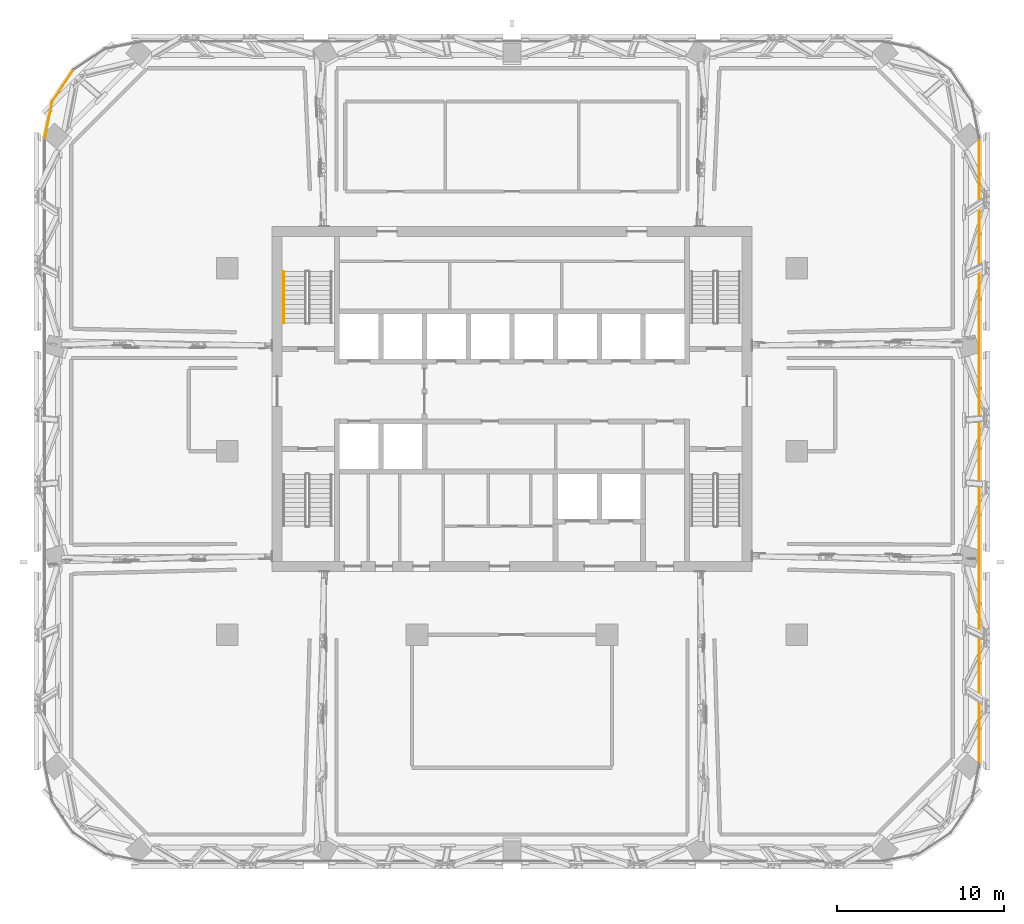
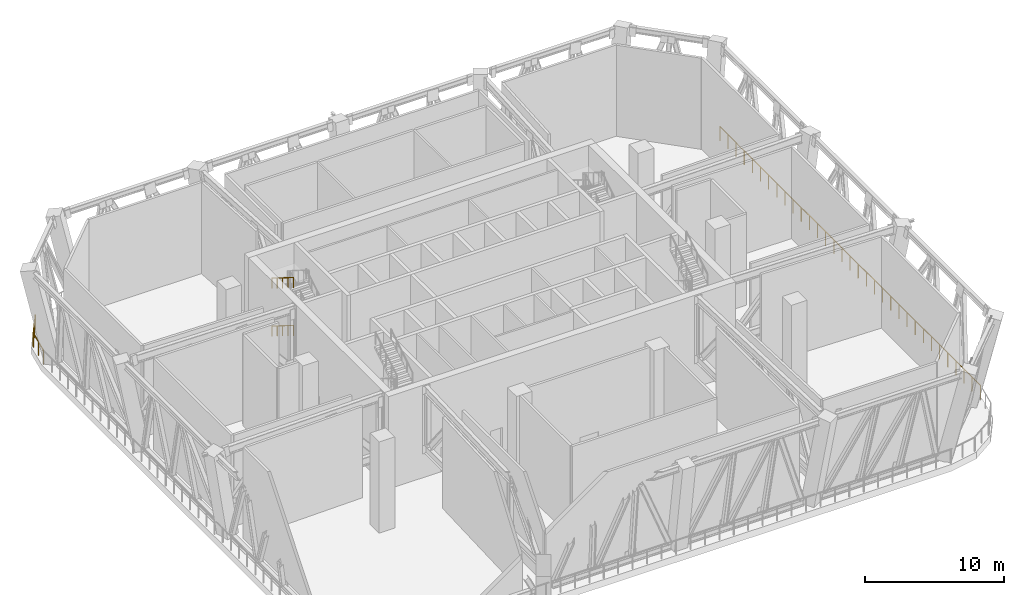
# One storey, part 21 of 24: 5 railings.
"""IFC4 building model written with IfcOpenShell, lengths in metres."""

from ifc_helpers import new_model, si_unit, direction, frame, origin, origin_2d, place, context, subcontext, project, spatial, circle, extrude, material, type_object, element, save


model = new_model("IFC4")

# Units and contexts
model_context = context("Model", 3, precision=1e-05, world=origin(), true_north=direction((0.0, 1.0)))
body_context = subcontext(model_context, "Body", "Model", "MODEL_VIEW")
ifc_project = project(units=[si_unit("LENGTHUNIT", "METRE"), si_unit("AREAUNIT", "SQUARE_METRE"), si_unit("VOLUMEUNIT", "CUBIC_METRE"), si_unit("PLANEANGLEUNIT", "RADIAN"), si_unit("MASSUNIT", "GRAM", prefix="KILO")], contexts=[model_context])

# Site, building, storey
site_placement = place(None, origin())
site = spatial("IfcSite", under=ifc_project, at=site_placement, CompositionType="ELEMENT")
building_placement = place(site_placement, origin())
building = spatial("IfcBuilding", under=site, at=building_placement, Name="Mopane Tessera Tower", CompositionType="ELEMENT")
storey_placement = place(building_placement, frame((0.0, 0.0, 259.0)))
storey = spatial("IfcBuildingStorey", under=building, at=storey_placement, Name="L56", CompositionType="ELEMENT", Elevation=259.0)

# Railings
ifc_material_1 = material(Name="Powder-coated steel balustrade", Category="steel")
railing_type_1 = type_object("IfcRailingType", Name="Escape stair handrail 900 mm", PredefinedType="HANDRAIL", material=ifc_material_1)
railing_1_placement = place(storey_placement, frame((-13.699951171875, 10.780029296875, 2.27490234375)))
element("IfcRailing", 1, at=railing_1_placement, inside=storey, type_object=railing_type_1, Name="L56 ST2 stair handrail 2", PredefinedType="HANDRAIL", context=body_context, shape_type="SweptSolid", body=[
    extrude(circle(Radius=0.02392578125, at=origin_2d()), frame((0.0, 0.0, 0.8759765625), z_axis=(0.0, -0.847998304005, 0.529998940003), x_axis=(1.0, 0.0, 0.0)), (0.0, 0.0, 1.0), 3.632080078125),
    extrude(circle(Radius=0.02099609375, at=origin_2d()), origin(), (0.0, 0.0, 1.0), 0.851806640625),
    extrude(circle(Radius=0.02099609375, at=origin_2d()), frame((0.0, -0.77001953125, 0.481201171875)), (0.0, 0.0, 1.0), 0.851806640625),
    extrude(circle(Radius=0.02099609375, at=origin_2d()), frame((0.0, -1.5400390625, 0.96240234375)), (0.0, 0.0, 1.0), 0.851806640625),
    extrude(circle(Radius=0.02099609375, at=origin_2d()), frame((0.0, -2.31005859375, 1.44384765625)), (0.0, 0.0, 1.0), 0.851806640625),
    extrude(circle(Radius=0.02099609375, at=origin_2d()), frame((0.0, -3.080078125, 1.925048828125)), (0.0, 0.0, 1.0), 0.851806640625),
])
railing_2_placement = place(storey_placement, frame((-13.699951171875, 10.780029296875, 6.47509765625)))
element("IfcRailing", 2, at=railing_2_placement, inside=storey, type_object=railing_type_1, Name="L56 ST2 stair handrail 4", PredefinedType="HANDRAIL", context=body_context, shape_type="SweptSolid", body=[
    extrude(circle(Radius=0.02392578125, at=origin_2d()), frame((0.0, 0.0, 0.8759765625), z_axis=(0.0, -0.848028513186, 0.529950602248), x_axis=(1.0, 0.0, 0.0)), (0.0, 0.0, 1.0), 3.632080078125),
    extrude(circle(Radius=0.02099609375, at=origin_2d()), origin(), (0.0, 0.0, 1.0), 0.851806640625),
    extrude(circle(Radius=0.02099609375, at=origin_2d()), frame((0.0, -0.77001953125, 0.481201171875)), (0.0, 0.0, 1.0), 0.851806640625),
    extrude(circle(Radius=0.02099609375, at=origin_2d()), frame((0.0, -1.5400390625, 0.96240234375)), (0.0, 0.0, 1.0), 0.851806640625),
    extrude(circle(Radius=0.02099609375, at=origin_2d()), frame((0.0, -2.31005859375, 1.443603515625)), (0.0, 0.0, 1.0), 0.851806640625),
    extrude(circle(Radius=0.02099609375, at=origin_2d()), frame((0.0, -3.080078125, 1.9248046875)), (0.0, 0.0, 1.0), 0.851806640625),
])
ifc_material_2 = material(Name="Stainless steel S316", Category="steel")
railing_type_2 = type_object("IfcRailingType", Name="Wind floor guard 1250", PredefinedType="GUARDRAIL", material=ifc_material_2)
railing_3_placement = place(storey_placement, frame((28.050048828125, -18.719970703125, 0.0)))
element("IfcRailing", 3, at=railing_3_placement, inside=storey, type_object=railing_type_2, Name="e:og:L56:5", PredefinedType="GUARDRAIL", context=body_context, shape_type="SweptSolid", body=[
    extrude(circle(Radius=0.02392578125, at=origin_2d()), frame((0.0, 0.0, 1.22607421875), z_axis=(0.0, 1.0, 0.0), x_axis=(-1.0, 0.0, 0.0)), (0.0, 0.0, 1.0), 37.43994140625),
    extrude(circle(Radius=0.02099609375, at=origin_2d()), origin(), (0.0, 0.0, 1.0), 1.201904296875),
    extrude(circle(Radius=0.02099609375, at=origin_2d()), frame((0.0, 1.169921875, 0.0)), (0.0, 0.0, 1.0), 1.201904296875),
    extrude(circle(Radius=0.02099609375, at=origin_2d()), frame((0.0, 2.340087890625, 0.0)), (0.0, 0.0, 1.0), 1.201904296875),
    extrude(circle(Radius=0.02099609375, at=origin_2d()), frame((0.0, 3.510009765625, 0.0)), (0.0, 0.0, 1.0), 1.201904296875),
    extrude(circle(Radius=0.02099609375, at=origin_2d()), frame((0.0, 4.679931640625, 0.0)), (0.0, 0.0, 1.0), 1.201904296875),
    extrude(circle(Radius=0.02099609375, at=origin_2d()), frame((0.0, 5.85009765625, 0.0)), (0.0, 0.0, 1.0), 1.201904296875),
    extrude(circle(Radius=0.02099609375, at=origin_2d()), frame((0.0, 7.02001953125, 0.0)), (0.0, 0.0, 1.0), 1.201904296875),
    extrude(circle(Radius=0.02099609375, at=origin_2d()), frame((0.0, 8.18994140625, 0.0)), (0.0, 0.0, 1.0), 1.201904296875),
    extrude(circle(Radius=0.02099609375, at=origin_2d()), frame((0.0, 9.35986328125, 0.0)), (0.0, 0.0, 1.0), 1.201904296875),
    extrude(circle(Radius=0.02099609375, at=origin_2d()), frame((0.0, 10.530029296875, 0.0)), (0.0, 0.0, 1.0), 1.201904296875),
    extrude(circle(Radius=0.02099609375, at=origin_2d()), frame((0.0, 11.699951171875, 0.0)), (0.0, 0.0, 1.0), 1.201904296875),
    extrude(circle(Radius=0.02099609375, at=origin_2d()), frame((0.0, 12.869873046875, 0.0)), (0.0, 0.0, 1.0), 1.201904296875),
    extrude(circle(Radius=0.02099609375, at=origin_2d()), frame((0.0, 14.0400390625, 0.0)), (0.0, 0.0, 1.0), 1.201904296875),
    extrude(circle(Radius=0.02099609375, at=origin_2d()), frame((0.0, 15.2099609375, 0.0)), (0.0, 0.0, 1.0), 1.201904296875),
    extrude(circle(Radius=0.02099609375, at=origin_2d()), frame((0.0, 16.3798828125, 0.0)), (0.0, 0.0, 1.0), 1.201904296875),
    extrude(circle(Radius=0.02099609375, at=origin_2d()), frame((0.0, 17.550048828125, 0.0)), (0.0, 0.0, 1.0), 1.201904296875),
    extrude(circle(Radius=0.02099609375, at=origin_2d()), frame((0.0, 18.719970703125, 0.0)), (0.0, 0.0, 1.0), 1.201904296875),
    extrude(circle(Radius=0.02099609375, at=origin_2d()), frame((0.0, 19.889892578125, 0.0)), (0.0, 0.0, 1.0), 1.201904296875),
    extrude(circle(Radius=0.02099609375, at=origin_2d()), frame((0.0, 21.06005859375, 0.0)), (0.0, 0.0, 1.0), 1.201904296875),
    extrude(circle(Radius=0.02099609375, at=origin_2d()), frame((0.0, 22.22998046875, 0.0)), (0.0, 0.0, 1.0), 1.201904296875),
    extrude(circle(Radius=0.02099609375, at=origin_2d()), frame((0.0, 23.39990234375, 0.0)), (0.0, 0.0, 1.0), 1.201904296875),
    extrude(circle(Radius=0.02099609375, at=origin_2d()), frame((0.0, 24.570068359375, 0.0)), (0.0, 0.0, 1.0), 1.201904296875),
    extrude(circle(Radius=0.02099609375, at=origin_2d()), frame((0.0, 25.739990234375, 0.0)), (0.0, 0.0, 1.0), 1.201904296875),
    extrude(circle(Radius=0.02099609375, at=origin_2d()), frame((0.0, 26.909912109375, 0.0)), (0.0, 0.0, 1.0), 1.201904296875),
    extrude(circle(Radius=0.02099609375, at=origin_2d()), frame((0.0, 28.080078125, 0.0)), (0.0, 0.0, 1.0), 1.201904296875),
    extrude(circle(Radius=0.02099609375, at=origin_2d()), frame((0.0, 29.25, 0.0)), (0.0, 0.0, 1.0), 1.201904296875),
    extrude(circle(Radius=0.02099609375, at=origin_2d()), frame((0.0, 30.419921875, 0.0)), (0.0, 0.0, 1.0), 1.201904296875),
    extrude(circle(Radius=0.02099609375, at=origin_2d()), frame((0.0, 31.58984375, 0.0)), (0.0, 0.0, 1.0), 1.201904296875),
    extrude(circle(Radius=0.02099609375, at=origin_2d()), frame((0.0, 32.760009765625, 0.0)), (0.0, 0.0, 1.0), 1.201904296875),
    extrude(circle(Radius=0.02099609375, at=origin_2d()), frame((0.0, 33.929931640625, 0.0)), (0.0, 0.0, 1.0), 1.201904296875),
    extrude(circle(Radius=0.02099609375, at=origin_2d()), frame((0.0, 35.099853515625, 0.0)), (0.0, 0.0, 1.0), 1.201904296875),
    extrude(circle(Radius=0.02099609375, at=origin_2d()), frame((0.0, 36.27001953125, 0.0)), (0.0, 0.0, 1.0), 1.201904296875),
    extrude(circle(Radius=0.02099609375, at=origin_2d()), frame((0.0, 37.43994140625, 0.0)), (0.0, 0.0, 1.0), 1.201904296875),
])
railing_4_placement = place(storey_placement, frame((-26.353271484375, 22.861572265625, 0.0)))
element("IfcRailing", 4, at=railing_4_placement, inside=storey, type_object=railing_type_2, Name="e:og:L56:13", PredefinedType="GUARDRAIL", context=body_context, shape_type="SweptSolid", body=[
    extrude(circle(Radius=0.02392578125, at=origin_2d()), frame((0.0, 0.0, 1.22607421875), z_axis=(-0.555612448047, -0.831441403573, 0.0), x_axis=(0.831441403573, -0.555612448047, 0.0)), (0.0, 0.0, 1.0), 2.222412109375),
    extrude(circle(Radius=0.02099609375, at=origin_2d()), origin(), (0.0, 0.0, 1.0), 1.201904296875),
    extrude(circle(Radius=0.02099609375, at=origin_2d()), frame((-0.617431640625, -0.923828125, 0.0)), (0.0, 0.0, 1.0), 1.201904296875),
    extrude(circle(Radius=0.02099609375, at=origin_2d()), frame((-1.23486328125, -1.847900390625, 0.0)), (0.0, 0.0, 1.0), 1.201904296875),
])
railing_5_placement = place(storey_placement, frame((-27.610595703125, 20.959228515625, 0.0)))
element("IfcRailing", 5, at=railing_5_placement, inside=storey, type_object=railing_type_2, Name="e:og:L56:14", PredefinedType="GUARDRAIL", context=body_context, shape_type="SweptSolid", body=[
    extrude(circle(Radius=0.02392578125, at=origin_2d()), frame((0.0, 0.0, 1.22607421875), z_axis=(-0.195101986683, -0.980782960085, 0.0), x_axis=(0.980782960085, -0.195101986683, 0.0)), (0.0, 0.0, 1.0), 2.222412109375),
    extrude(circle(Radius=0.02099609375, at=origin_2d()), origin(), (0.0, 0.0, 1.0), 1.201904296875),
    extrude(circle(Radius=0.02099609375, at=origin_2d()), frame((-0.216796875, -1.08984375, 0.0)), (0.0, 0.0, 1.0), 1.201904296875),
    extrude(circle(Radius=0.02099609375, at=origin_2d()), frame((-0.43359375, -2.1796875, 0.0)), (0.0, 0.0, 1.0), 1.201904296875),
])

save(model, "model.ifc")
